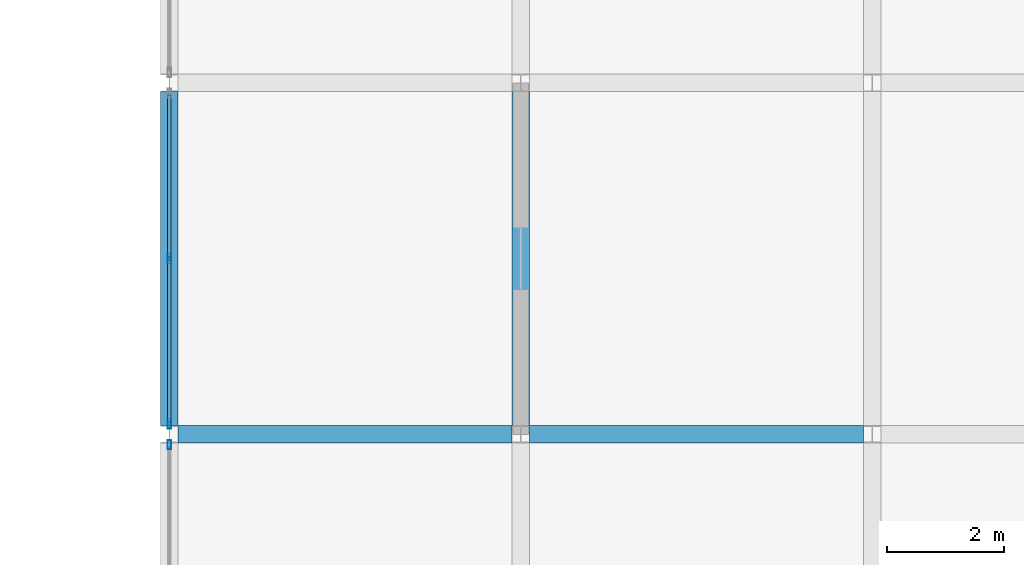
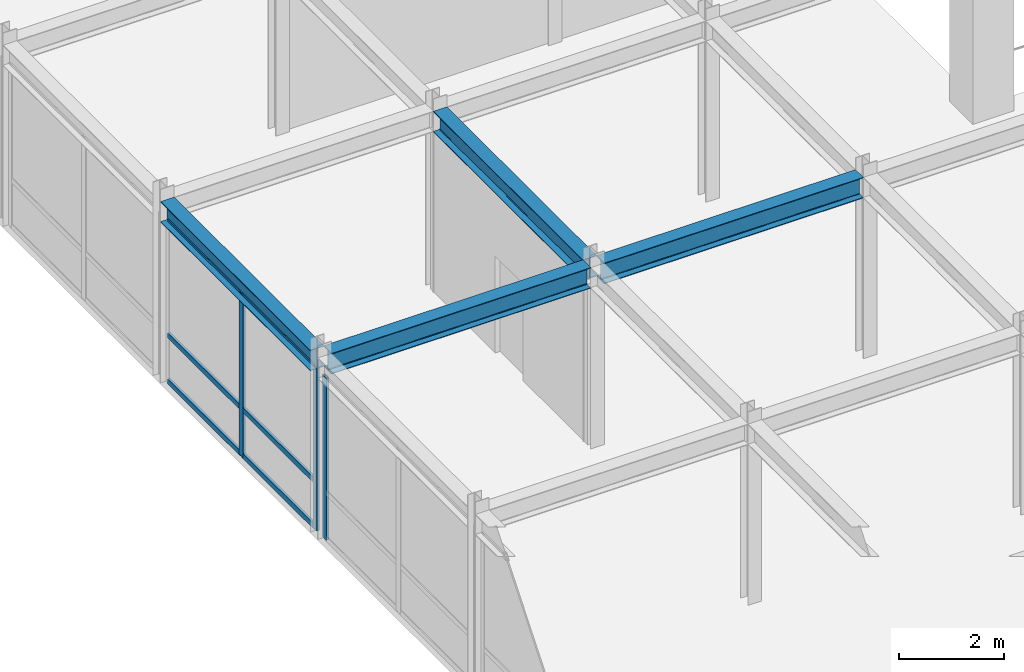
# One storey, part 46 of 108: 9 members, 4 beams, 2 elements without a shape of their own.
"""IFC4 building model written with IfcOpenShell, lengths in metres."""

from ifc_helpers import new_model, si_unit, direction, frame, origin, origin_2d, place, context, subcontext, project, spatial, hollow_rectangle, i_section, extrude, material, layer, layer_set, material_profile, profile_set, type_object, element, aggregate, save


model = new_model("IFC4")

# Units and contexts
model_context = context("Model", 3, precision=1e-05, world=origin(), true_north=direction((0.0, 1.0)))
body_context = subcontext(model_context, "Body", "Model", "MODEL_VIEW")
ifc_project = project(units=[si_unit("LENGTHUNIT", "METRE"), si_unit("AREAUNIT", "SQUARE_METRE"), si_unit("VOLUMEUNIT", "CUBIC_METRE"), si_unit("PLANEANGLEUNIT", "RADIAN"), si_unit("MASSUNIT", "GRAM", prefix="KILO")], contexts=[model_context])

# Site, building, storey
site_placement = place(None, origin())
site = spatial("IfcSite", under=ifc_project, at=site_placement, CompositionType="ELEMENT")
building_placement = place(site_placement, origin())
building = spatial("IfcBuilding", under=site, at=building_placement, Name="Zlatovratsky Civic Hall", CompositionType="ELEMENT")
storey_placement = place(building_placement, frame((0.0, 0.0, 12.0)))
storey = spatial("IfcBuildingStorey", under=building, at=storey_placement, Name="L03", CompositionType="ELEMENT", Elevation=12.0)

# Beams
ifc_material_1 = material(Name="Steel S355", Category="steel")
ifc_material_profile_1 = material_profile(ifc_material_1, i_section(OverallWidth=0.300048828125, OverallDepth=0.48193359375, WebThickness=0.010986328125, FlangeThickness=0.014892578125, FilletRadius=0.02392578125, at=origin_2d()), Name="50Sh1")
ifc_profile_set_1 = profile_set([ifc_material_profile_1], Name="Steel S355")
beam_type = type_object("IfcBeamType", Name="Beam_LibraryGirder_50Sh1", PredefinedType="BEAM", material=ifc_profile_set_1)
for number, where, z_axis, x_axis, name in (
    (1, (48.1494140625, 42.0, 3.97900390625), (1.0, 0.0, 0.0), (0.0, 1.0, 0.0), "BM-2561"),
    (2, (54.1494140625, 42.0, 3.97900390625), (1.0, 0.0, 0.0), (0.0, 1.0, 0.0), "BM-2562"),
):
    element("IfcBeam", number, at=place(storey_placement, frame(where, z_axis=z_axis, x_axis=x_axis)), inside=storey, type_object=beam_type, Name=name, PredefinedType="BEAM", context=body_context, shape_type="SweptSolid", body=[
        extrude(i_section(OverallWidth=0.300048828125, OverallDepth=0.48193359375, WebThickness=0.010986328125, FlangeThickness=0.014892578125, FilletRadius=0.02392578125, at=origin_2d()), origin(), (0.0, 0.0, 1.0), 5.701171875),
    ])
for number, where, z_axis, x_axis, name in (
    (3, (48.0, 42.14794921875, 3.97900390625), (0.0, 1.0, 0.0), (-1.0, 0.0, 0.0), "BM-2871"),
    (4, (54.0, 42.14794921875, 3.97900390625), (0.0, 1.0, 0.0), (-1.0, 0.0, 0.0), "BM-2888"),
):
    element("IfcBeam", number, at=place(storey_placement, frame(where, z_axis=z_axis, x_axis=x_axis)), inside=storey, type_object=beam_type, Name=name, PredefinedType="BEAM", context=body_context, shape_type="SweptSolid", body=[
        extrude(i_section(OverallWidth=0.300048828125, OverallDepth=0.48193359375, WebThickness=0.010986328125, FlangeThickness=0.014892578125, FilletRadius=0.02392578125, at=origin_2d()), origin(), (0.0, 0.0, 1.0), 5.7041015625),
    ])

# Curtain wall, member
ifc_material_2 = material(Name="Anodised bronze aluminium", Category="aluminium")
ifc_layer = layer(ifc_material_2, 0.159912109375)
ifc_layer_set = layer_set([ifc_layer], Name="Anodised bronze aluminium")
curtain_wall_type = type_object("IfcCurtainWallType", Name="CurtainWall_Bronze_5700x3770_12", PredefinedType="NOTDEFINED", material=ifc_layer_set)
curtain_wall_1_placement = place(storey_placement, origin())
curtain_wall_1 = element("IfcCurtainWall", 5, at=curtain_wall_1_placement, inside=storey, type_object=curtain_wall_type, Name="CW-064", PredefinedType="NOTDEFINED")
ifc_material_profile_2 = material_profile(ifc_material_2, hollow_rectangle(XDim=0.06005859375, YDim=0.159912109375, WallThickness=0.00390625, at=origin_2d()), Name="ALU 60x160x4")
ifc_profile_set_2 = profile_set([ifc_material_profile_2], Name="Anodised bronze aluminium")
member_type_1 = type_object("IfcMemberType", Name="CW_Mullion_60x160", PredefinedType="MULLION", material=ifc_profile_set_2)
member_1_placement = place(storey_placement, frame((48.0, 41.822021484375, 0.0), z_axis=(0.0, 0.0, 1.0), x_axis=(-1.0, 0.0, 0.0)))
member_1 = element("IfcMember", 6, at=member_1_placement, type_object=member_type_1, Name="CW-12 mullion 3", PredefinedType="MULLION", context=body_context, shape_type="SweptSolid", body=[
    extrude(hollow_rectangle(XDim=0.06005859375, YDim=0.159912109375, WallThickness=0.00390625, at=origin_2d()), origin(), (0.0, 0.0, 1.0), 3.77001953125),
])
aggregate(curtain_wall_1, [member_1])

# Curtain wall, members
curtain_wall_2_placement = place(storey_placement, origin())
curtain_wall_2 = element("IfcCurtainWall", 7, at=curtain_wall_2_placement, inside=storey, type_object=curtain_wall_type, Name="CW-065", PredefinedType="NOTDEFINED")
member_2_placement = place(storey_placement, frame((48.0, 42.177978515625, 0.0), z_axis=(0.0, 0.0, 1.0), x_axis=(-1.0, 0.0, 0.0)))
member_2 = element("IfcMember", 8, at=member_2_placement, type_object=member_type_1, Name="CW-12 mullion 1", PredefinedType="MULLION", context=body_context, shape_type="SweptSolid", body=[
    extrude(hollow_rectangle(XDim=0.06005859375, YDim=0.159912109375, WallThickness=0.00390625, at=origin_2d()), origin(), (0.0, 0.0, 1.0), 3.77001953125),
])
member_3_placement = place(storey_placement, frame((48.0, 45.0, 0.0), z_axis=(0.0, 0.0, 1.0), x_axis=(-1.0, 0.0, 0.0)))
member_3 = element("IfcMember", 9, at=member_3_placement, type_object=member_type_1, Name="CW-12 mullion 2", PredefinedType="MULLION", context=body_context, shape_type="SweptSolid", body=[
    extrude(hollow_rectangle(XDim=0.06005859375, YDim=0.159912109375, WallThickness=0.00390625, at=origin_2d()), origin(), (0.0, 0.0, 1.0), 3.77001953125),
])
ifc_material_profile_3 = material_profile(ifc_material_2, hollow_rectangle(XDim=0.06005859375, YDim=0.1201171875, WallThickness=0.00390625, at=origin_2d()), Name="ALU 60x120x4")
ifc_profile_set_3 = profile_set([ifc_material_profile_3], Name="Anodised bronze aluminium")
member_type_2 = type_object("IfcMemberType", Name="CW_Transom_60x120", PredefinedType="USERDEFINED", material=ifc_profile_set_3)
member_4_placement = place(storey_placement, frame((48.0, 42.2080078125, 0.030029296875), z_axis=(0.0, 1.0, 0.0), x_axis=(-1.0, 0.0, 0.0)))
member_4 = element("IfcMember", 10, at=member_4_placement, type_object=member_type_2, Name="CW-12 transom 1.1", ObjectType="TRANSOM", PredefinedType="USERDEFINED", context=body_context, shape_type="SweptSolid", body=[
    extrude(hollow_rectangle(XDim=0.06005859375, YDim=0.1201171875, WallThickness=0.00390625, at=origin_2d()), origin(), (0.0, 0.0, 1.0), 2.761962890625),
])
member_5_placement = place(storey_placement, frame((48.0, 42.2080078125, 1.10009765625), z_axis=(0.0, 1.0, 0.0), x_axis=(-1.0, 0.0, 0.0)))
member_5 = element("IfcMember", 11, at=member_5_placement, type_object=member_type_2, Name="CW-12 transom 1.2", ObjectType="TRANSOM", PredefinedType="USERDEFINED", context=body_context, shape_type="SweptSolid", body=[
    extrude(hollow_rectangle(XDim=0.06005859375, YDim=0.1201171875, WallThickness=0.00390625, at=origin_2d()), origin(), (0.0, 0.0, 1.0), 2.761962890625),
])
member_6_placement = place(storey_placement, frame((48.0, 42.2080078125, 3.739990234375), z_axis=(0.0, 1.0, 0.0), x_axis=(-1.0, 0.0, 0.0)))
member_6 = element("IfcMember", 12, at=member_6_placement, type_object=member_type_2, Name="CW-12 transom 1.3", ObjectType="TRANSOM", PredefinedType="USERDEFINED", context=body_context, shape_type="SweptSolid", body=[
    extrude(hollow_rectangle(XDim=0.06005859375, YDim=0.1201171875, WallThickness=0.00390625, at=origin_2d()), origin(), (0.0, 0.0, 1.0), 2.761962890625),
])
member_7_placement = place(storey_placement, frame((48.0, 45.030029296875, 0.030029296875), z_axis=(0.0, 1.0, 0.0), x_axis=(-1.0, 0.0, 0.0)))
member_7 = element("IfcMember", 13, at=member_7_placement, type_object=member_type_2, Name="CW-12 transom 2.1", ObjectType="TRANSOM", PredefinedType="USERDEFINED", context=body_context, shape_type="SweptSolid", body=[
    extrude(hollow_rectangle(XDim=0.06005859375, YDim=0.1201171875, WallThickness=0.00390625, at=origin_2d()), origin(), (0.0, 0.0, 1.0), 2.761962890625),
])
member_8_placement = place(storey_placement, frame((48.0, 45.030029296875, 1.10009765625), z_axis=(0.0, 1.0, 0.0), x_axis=(-1.0, 0.0, 0.0)))
member_8 = element("IfcMember", 14, at=member_8_placement, type_object=member_type_2, Name="CW-12 transom 2.2", ObjectType="TRANSOM", PredefinedType="USERDEFINED", context=body_context, shape_type="SweptSolid", body=[
    extrude(hollow_rectangle(XDim=0.06005859375, YDim=0.1201171875, WallThickness=0.00390625, at=origin_2d()), origin(), (0.0, 0.0, 1.0), 2.761962890625),
])
member_9_placement = place(storey_placement, frame((48.0, 45.030029296875, 3.739990234375), z_axis=(0.0, 1.0, 0.0), x_axis=(-1.0, 0.0, 0.0)))
member_9 = element("IfcMember", 15, at=member_9_placement, type_object=member_type_2, Name="CW-12 transom 2.3", ObjectType="TRANSOM", PredefinedType="USERDEFINED", context=body_context, shape_type="SweptSolid", body=[
    extrude(hollow_rectangle(XDim=0.06005859375, YDim=0.1201171875, WallThickness=0.00390625, at=origin_2d()), origin(), (0.0, 0.0, 1.0), 2.761962890625),
])
aggregate(curtain_wall_2, [member_2, member_3, member_4, member_5, member_6, member_7, member_8, member_9])

save(model, "model.ifc")
